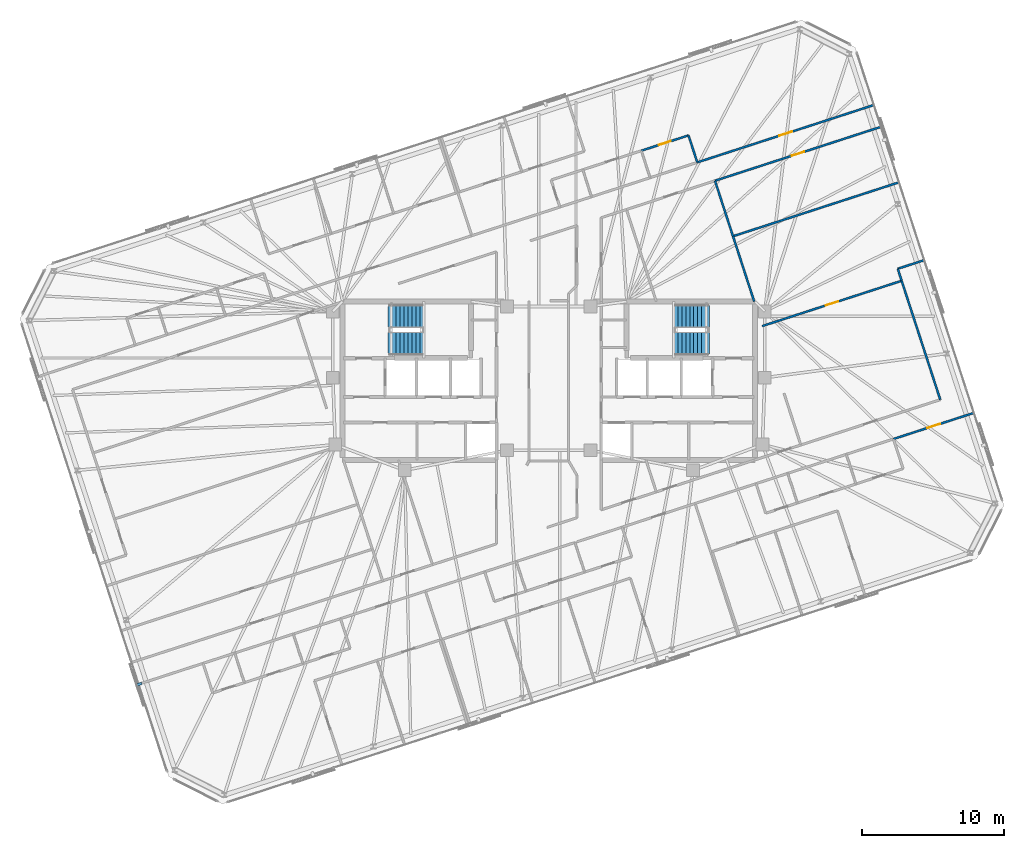
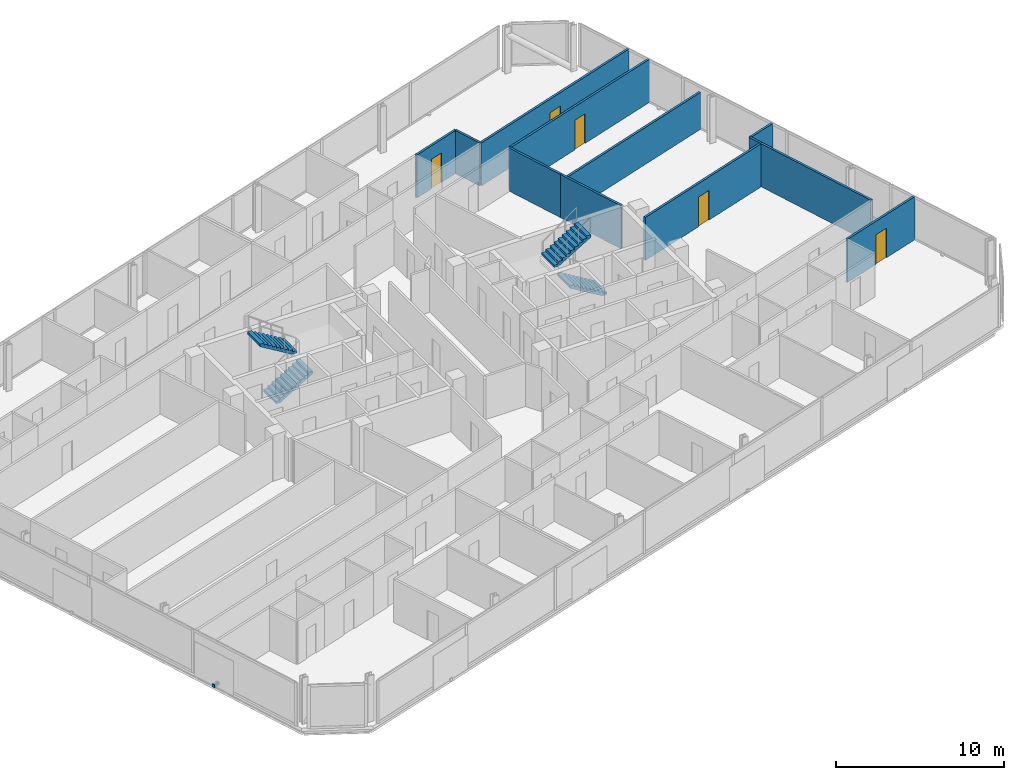
# One storey, part 18 of 20: 12 walls, 5 doors, 4 stair flights, 1 discrete accessory, 5 openings, 2 elements without a shape of their own.
"""IFC4 building model written with IfcOpenShell, lengths in metres."""

import ifcopenshell
import ifcopenshell.guid

model = None  # the IFC model being written
_history = None  # IfcOwnerHistory: only IFC2X3 demands one
_inside = {}  # id of a spatial element -> (the spatial element, [elements in it])
_under = {}  # id of a project, library or spatial element -> (it, [spatial elements below it])
_declared = {}  # id of a project -> (the project, [libraries it declares])
_typed = {}  # id of a type object -> (the type object, [elements of that type])
_made_of = {}  # id of a material, layer set ... -> (it, [elements and type objects made of it])


def new_model(schema):
    """Start an empty IFC model of exactly this schema.

    Asked for "IFC4X3", IfcOpenShell would pick the latest addendum, in which some entities
    have other attributes; the version numbers below select the first issue.
    IFC2X3 requires an IfcOwnerHistory on every rooted entity: one is made here for all.
    """
    global model, _history
    if schema == "IFC4X3":
        model = ifcopenshell.file(schema_version=(4, 3, 0, 0))
    else:
        model = ifcopenshell.file(schema=schema)
    _inside.clear()
    _under.clear()
    _declared.clear()
    _typed.clear()
    _made_of.clear()
    _history = None
    if model.schema == "IFC2X3":
        org = make("IfcOrganization", Name="unknown")
        user = make(
            "IfcPersonAndOrganization",
            ThePerson=make("IfcPerson", FamilyName="unknown"),
            TheOrganization=org,
        )
        app = make(
            "IfcApplication",
            ApplicationDeveloper=org,
            Version="unknown",
            ApplicationFullName="unknown",
            ApplicationIdentifier="unknown",
        )
        _history = make(
            "IfcOwnerHistory",
            OwningUser=user,
            OwningApplication=app,
            ChangeAction="ADDED",
            CreationDate=0,
        )
    return model


def make(cls, **values):
    """One entity of the class cls with the attributes given. An attribute that is None is left unset."""
    return model.create_entity(
        cls, **{name: value for name, value in values.items() if value is not None}
    )


def rooted(cls, **values):
    """An entity with a GlobalId (a new one), such as an element, a storey or a relation."""
    return make(cls, GlobalId=ifcopenshell.guid.new(), OwnerHistory=_history, **values)


def si_unit(unit_type, name, prefix=None):
    """IfcSIUnit, for example si_unit("LENGTHUNIT", "METRE", prefix="MILLI")."""
    return make("IfcSIUnit", UnitType=unit_type, Prefix=prefix, Name=name)


def assignment(units):
    """IfcUnitAssignment: the units of a project."""
    return None if units is None else make("IfcUnitAssignment", Units=units)


def point(xyz):
    """IfcCartesianPoint."""
    return None if xyz is None else make("IfcCartesianPoint", Coordinates=xyz)


def direction(xyz):
    """IfcDirection."""
    return None if xyz is None else make("IfcDirection", DirectionRatios=xyz)


def frame(location, z_axis=None, x_axis=None):
    """IfcAxis2Placement3D, a coordinate frame: its origin and axes. An axis left out is left unset."""
    return make(
        "IfcAxis2Placement3D",
        Location=point(location),
        Axis=direction(z_axis),
        RefDirection=direction(x_axis),
    )


def frame_2d(location, x_axis=None):
    """IfcAxis2Placement2D, a coordinate frame in the plane: its origin and x axis."""
    return make(
        "IfcAxis2Placement2D", Location=point(location), RefDirection=direction(x_axis)
    )


def origin():
    """The frame at (0, 0, 0) with its axes left unset."""
    return frame((0.0, 0.0, 0.0))


def origin_2d():
    """The frame at (0, 0) in the plane with its x axis left unset."""
    return frame_2d((0.0, 0.0))


def place(relative_to, where):
    """IfcLocalPlacement: puts the frame where relative to a parent placement (None: the world)."""
    return make(
        "IfcLocalPlacement", PlacementRelTo=relative_to, RelativePlacement=where
    )


def context(
    kind, dimensions, precision=None, world=None, true_north=None, identifier=None
):
    """IfcGeometricRepresentationContext, for example the 3D "Model" context."""
    return make(
        "IfcGeometricRepresentationContext",
        ContextIdentifier=identifier,
        ContextType=kind,
        CoordinateSpaceDimension=dimensions,
        Precision=precision,
        WorldCoordinateSystem=world,
        TrueNorth=true_north,
    )


def subcontext(parent, identifier, kind, view, scale=None):
    """IfcGeometricRepresentationSubContext, for example "Body" below "Model"."""
    return make(
        "IfcGeometricRepresentationSubContext",
        ContextIdentifier=identifier,
        ContextType=kind,
        ParentContext=parent,
        TargetScale=scale,
        TargetView=view,
    )


def project(units=None, contexts=None):
    """IfcProject with its units and contexts."""
    return rooted(
        "IfcProject",
        Name="project",
        RepresentationContexts=contexts,
        UnitsInContext=assignment(units),
    )


def spatial(cls, under=None, at=None, **own):
    """A site, building, storey or space (cls), placed at a placement, below another one or the project."""
    s = rooted(cls, ObjectPlacement=at, **own)
    if under is not None:
        _under.setdefault(under.id(), (under, []))[1].append(s)
    return s


def polyline(points):
    """IfcPolyline through the points."""
    return make("IfcPolyline", Points=[point(p) for p in points])


def profile(cls, at=None, kind="AREA", **sizes):
    """A parametric profile (cls). Its sizes go by their IFC names, for example OverallWidth=200.0."""
    return make(cls, ProfileType=kind, Position=at, **sizes)


def rectangle(**sizes):
    """IfcRectangleProfileDef."""
    return profile("IfcRectangleProfileDef", **sizes)


def outline(outer, holes=None, kind="AREA"):
    """IfcArbitraryClosedProfileDef: a profile drawn as a closed curve; with holes, ...WithVoids."""
    if holes is None:
        return make("IfcArbitraryClosedProfileDef", ProfileType=kind, OuterCurve=outer)
    return make(
        "IfcArbitraryProfileDefWithVoids",
        ProfileType=kind,
        OuterCurve=outer,
        InnerCurves=holes,
    )


def extrude(swept, where, along, depth):
    """IfcExtrudedAreaSolid: the profile swept, set in the frame where, extruded along a direction by depth."""
    return make(
        "IfcExtrudedAreaSolid",
        SweptArea=swept,
        Position=where,
        ExtrudedDirection=direction(along),
        Depth=depth,
    )


def shape(context_of_items, identifier, shape_type, items):
    """IfcShapeRepresentation: the items that make up one representation, for example the "Body"."""
    return make(
        "IfcShapeRepresentation",
        ContextOfItems=context_of_items,
        RepresentationIdentifier=identifier,
        RepresentationType=shape_type,
        Items=items,
    )


def material(Name=None, Category=None):
    """IfcMaterial."""
    return make("IfcMaterial", Name=Name, Category=Category)


def layer(
    of_material, thickness, ventilated=None, Name=None, Category=None, Priority=None
):
    """IfcMaterialLayer: one layer of a wall or slab, of a material (None: an air gap)."""
    return make(
        "IfcMaterialLayer",
        Material=of_material,
        LayerThickness=thickness,
        IsVentilated=ventilated,
        Name=Name,
        Category=Category,
        Priority=Priority,
    )


def layer_set(layers, Name=None):
    """IfcMaterialLayerSet."""
    return make("IfcMaterialLayerSet", MaterialLayers=layers, LayerSetName=Name)


def made_of(thing, what):
    """Note that an element or type object is made of a material, layer set ...; save() writes the relation."""
    if what is not None:
        _made_of.setdefault(what.id(), (what, []))[1].append(thing)
    return thing


def type_object(cls, material=None, **own):
    """A type object (cls), such as IfcWallType, which elements share."""
    return made_of(rooted(cls, **own), material)


def element(
    cls,
    number,
    at=None,
    inside=None,
    cuts=None,
    type_object=None,
    material=None,
    context=None,
    identifier="Body",
    shape_type=None,
    held_by="IfcProductDefinitionShape",
    body=None,
    shapes=None,
    **own,
):
    """One element of the class cls, such as IfcWall. Its Tag is "e" and its number.

    at: its placement. inside: the storey or other place that contains it. cuts: it is an
    opening in that element (IfcRelVoidsElement). A single representation is given by context,
    identifier, shape_type and body (its items); several are given by shapes. held_by: the class
    of the entity that holds the representations. save() writes the other relations.
    """
    e = rooted(cls, Tag="e%d" % number, ObjectPlacement=at, **own)
    if body is not None:
        shapes = [shape(context, identifier, shape_type, body)]
    if shapes is not None:
        e.Representation = make(held_by, Representations=shapes)
    if inside is not None:
        _inside.setdefault(inside.id(), (inside, []))[1].append(e)
    if cuts is not None:
        rooted(
            "IfcRelVoidsElement", RelatingBuildingElement=cuts, RelatedOpeningElement=e
        )
    if type_object is not None:
        _typed.setdefault(type_object.id(), (type_object, []))[1].append(e)
    return made_of(e, material)


def fill(opening, filler):
    """IfcRelFillsElement: the door or window that sits in an opening."""
    return rooted(
        "IfcRelFillsElement",
        RelatingOpeningElement=opening,
        RelatedBuildingElement=filler,
    )


def aggregate(whole, parts):
    """IfcRelAggregates: a whole, such as a stair, and the parts it consists of."""
    return rooted("IfcRelAggregates", RelatingObject=whole, RelatedObjects=parts)


def save(model, path):
    """Write the relations noted so far, then the file.

    IfcRelAggregates (storeys below a building ...), IfcRelContainedInSpatialStructure (elements
    in a storey), IfcRelDefinesByType, IfcRelAssociatesMaterial and IfcRelDeclares: one each for
    every whole, place, type object, material and project.
    """
    for whole, parts in _under.values():
        aggregate(whole, parts)
    for where, things in _inside.values():
        rooted(
            "IfcRelContainedInSpatialStructure",
            RelatedElements=things,
            RelatingStructure=where,
        )
    for kind, things in _typed.values():
        rooted("IfcRelDefinesByType", RelatedObjects=things, RelatingType=kind)
    for what, things in _made_of.values():
        rooted("IfcRelAssociatesMaterial", RelatedObjects=things, RelatingMaterial=what)
    for by, libraries in _declared.values():
        rooted("IfcRelDeclares", RelatingContext=by, RelatedDefinitions=libraries)
    model.write(path)


model = new_model("IFC4")

# Units and contexts
model_context = context("Model", 3, precision=1e-05, world=origin(), true_north=direction((0.0, 1.0)))
body_context = subcontext(model_context, "Body", "Model", "MODEL_VIEW")
ifc_project = project(units=[si_unit("LENGTHUNIT", "METRE"), si_unit("AREAUNIT", "SQUARE_METRE"), si_unit("VOLUMEUNIT", "CUBIC_METRE"), si_unit("PLANEANGLEUNIT", "RADIAN"), si_unit("MASSUNIT", "GRAM", prefix="KILO")], contexts=[model_context])

# Site, building, storey
site_placement = place(None, origin())
site = spatial("IfcSite", under=ifc_project, at=site_placement, CompositionType="ELEMENT")
building_placement = place(site_placement, origin())
building = spatial("IfcBuilding", under=site, at=building_placement, Name="Menara Jurai Vektor", CompositionType="ELEMENT")
storey_placement = place(building_placement, frame((0.0, 0.0, 227.64990234375)))
storey = spatial("IfcBuildingStorey", under=building, at=storey_placement, Name="L60", CompositionType="ELEMENT", Elevation=227.64990234375)

# Wall, opening, door
ifc_material_1 = material(Name="Gypsum Fireboard Partition", Category="gypsum")
ifc_layer_1 = layer(ifc_material_1, 0.14990234375)
ifc_layer_set_1 = layer_set([ifc_layer_1], Name="Gypsum Fireboard Partition")
wall_type_1 = type_object("IfcWallType", Name="INT-WALL-CORR-150", PredefinedType="PARTITIONING", material=ifc_layer_set_1)
wall_1_placement = place(storey_placement, frame((10.481201171875, 15.420654296875, 0.0), z_axis=(0.0, 0.0, 1.0), x_axis=(0.951055682471, 0.30901956061, 0.0)))
wall_1 = element("IfcWall", 1, at=wall_1_placement, inside=storey, type_object=wall_type_1, Name="Interior Wall IW-150 L60", PredefinedType="PARTITIONING", context=body_context, shape_type="SweptSolid", body=[
    extrude(rectangle(XDim=13.114013671875, YDim=0.14990234375, at=frame_2d((6.55712890625, 0.0))), origin(), (0.0, 0.0, 1.0), 3.125),
])
opening_1_placement = place(wall_1_placement, frame((6.08203125, 0.0, 0.0)))
opening_1 = element("IfcOpeningElement", 2, at=opening_1_placement, cuts=wall_1, Name="Opening D60-16", PredefinedType="OPENING", context=body_context, shape_type="SweptSolid", body=[
    extrude(rectangle(XDim=0.949951171875, YDim=2.14990234375, at=frame_2d((0.47509765625, 1.074951171875))), frame((0.0, 0.0849609375, 0.0), z_axis=(0.0, -1.0, 0.0), x_axis=(1.0, 0.0, 0.0)), (0.0, 0.0, 1.0), 0.169921875),
])
ifc_material_2 = material(Name="Solid Core Timber Fire Door", Category="wood")
door_type_1 = type_object("IfcDoorType", Name="DR-ENTRY-950", OperationType="NOTDEFINED", PredefinedType="DOOR", material=ifc_material_2)
door_1_placement = place(opening_1_placement, origin())
door_1 = element("IfcDoor", 3, at=door_1_placement, inside=storey, type_object=door_type_1, Name="Interior Door D60-16", OperationType="SINGLE_SWING_LEFT", OverallHeight=2.14990234375, OverallWidth=0.949951171875, PredefinedType="DOOR", context=body_context, shape_type="SweptSolid", body=[
    extrude(rectangle(XDim=0.949951171875, YDim=2.14990234375, at=frame_2d((0.47509765625, 1.074951171875))), frame((0.0, 0.02490234375, 0.0), z_axis=(0.0, -1.0, 0.0), x_axis=(1.0, 0.0, 0.0)), (0.0, 0.0, 1.0), 0.050048828125),
])
fill(opening_1, door_1)

wall_2_placement = place(storey_placement, frame((24.33203125, -4.10888671875, 0.0), z_axis=(0.0, 0.0, 1.0), x_axis=(0.951058083458, 0.309012171103, 0.0)))
wall_2 = element("IfcWall", 4, at=wall_2_placement, inside=storey, type_object=wall_type_1, Name="Interior Wall IW-150 L60", PredefinedType="PARTITIONING", context=body_context, shape_type="SweptSolid", body=[
    extrude(rectangle(XDim=5.97607421875, YDim=0.14990234375, at=frame_2d((2.988037109375, 0.0))), origin(), (0.0, 0.0, 1.0), 3.125),
])
opening_2_placement = place(wall_2_placement, frame((2.512939453125, 0.0, 0.0)))
opening_2 = element("IfcOpeningElement", 5, at=opening_2_placement, cuts=wall_2, Name="Opening D60-35", PredefinedType="OPENING", context=body_context, shape_type="SweptSolid", body=[
    extrude(rectangle(XDim=0.949951171875, YDim=2.14990234375, at=frame_2d((0.47509765625, 1.074951171875))), frame((0.0, 0.0849609375, 0.0), z_axis=(0.0, -1.0, 0.0), x_axis=(1.0, 0.0, 0.0)), (0.0, 0.0, 1.0), 0.169921875),
])
door_2_placement = place(opening_2_placement, origin())
door_2 = element("IfcDoor", 6, at=door_2_placement, inside=storey, type_object=door_type_1, Name="Interior Door D60-35", OperationType="SINGLE_SWING_RIGHT", OverallHeight=2.14990234375, OverallWidth=0.949951171875, PredefinedType="DOOR", context=body_context, shape_type="SweptSolid", body=[
    extrude(rectangle(XDim=0.949951171875, YDim=2.14990234375, at=frame_2d((0.47509765625, 1.074951171875))), frame((0.0, 0.02490234375, 0.0), z_axis=(0.0, -1.0, 0.0), x_axis=(1.0, 0.0, 0.0)), (0.0, 0.0, 1.0), 0.050048828125),
])
fill(opening_2, door_2)

# Walls
wall_3_placement = place(storey_placement, frame((27.63671875, -1.331787109375, 0.0), z_axis=(0.0, 0.0, 1.0), x_axis=(-0.309040411618, 0.951048907253, 0.0)))
element("IfcWall", 7, at=wall_3_placement, inside=storey, type_object=wall_type_1, Name="Interior Wall IW-150 L60", PredefinedType="PARTITIONING", context=body_context, shape_type="SweptSolid", body=[
    extrude(rectangle(XDim=8.825927734375, YDim=0.14990234375, at=frame_2d((4.4130859375, 0.0))), origin(), (0.0, 0.0, 1.0), 3.125),
])
wall_4_placement = place(storey_placement, frame((24.9091796875, 7.06201171875, 0.0), z_axis=(0.0, 0.0, 1.0), x_axis=(-0.30899324298, 0.951064233263, 0.0)))
element("IfcWall", 8, at=wall_4_placement, inside=storey, type_object=wall_type_1, Name="Interior Wall IW-150 L60", PredefinedType="PARTITIONING", context=body_context, shape_type="SweptSolid", body=[
    extrude(rectangle(XDim=0.89208984375, YDim=0.14990234375, at=frame_2d((0.446044921875, 0.0))), origin(), (0.0, 0.0, 1.0), 3.125),
])
wall_5_placement = place(storey_placement, frame((24.633544921875, 7.910400390625, 0.0), z_axis=(0.0, 0.0, 1.0), x_axis=(0.951054051148, 0.309024581215, 0.0)))
element("IfcWall", 9, at=wall_5_placement, inside=storey, type_object=wall_type_1, Name="Interior Wall IW-150 L60", PredefinedType="PARTITIONING", context=body_context, shape_type="SweptSolid", body=[
    extrude(rectangle(XDim=1.97509765625, YDim=0.14990234375, at=frame_2d((0.987548828125, 0.0))), origin(), (0.0, 0.0, 1.0), 3.125),
])

# Wall, opening, door
wall_6_placement = place(storey_placement, frame((11.730224609375, 14.123291015625, 0.0), z_axis=(0.0, 0.0, 1.0), x_axis=(0.951060263663, 0.309005460926, 0.0)))
wall_6 = element("IfcWall", 10, at=wall_6_placement, inside=storey, type_object=wall_type_1, Name="Interior Wall IW-150 L60", PredefinedType="PARTITIONING", context=body_context, shape_type="SweptSolid", body=[
    extrude(rectangle(XDim=12.326904296875, YDim=0.14990234375, at=frame_2d((6.16357421875, 0.0))), origin(), (0.0, 0.0, 1.0), 3.125),
])
opening_3_placement = place(wall_6_placement, frame((5.70361328125, 0.0, 0.0)))
opening_3 = element("IfcOpeningElement", 11, at=opening_3_placement, cuts=wall_6, Name="Opening D60-59", PredefinedType="OPENING", context=body_context, shape_type="SweptSolid", body=[
    extrude(rectangle(XDim=0.919921875, YDim=2.14990234375, at=frame_2d((0.4599609375, 1.074951171875))), frame((0.0, 0.0849609375, 0.0), z_axis=(0.0, -1.0, 0.0), x_axis=(1.0, 0.0, 0.0)), (0.0, 0.0, 1.0), 0.169921875),
])
door_3_placement = place(opening_3_placement, origin())
door_3 = element("IfcDoor", 12, at=door_3_placement, inside=storey, type_object=door_type_1, Name="Interior Door D60-59", OperationType="SINGLE_SWING_RIGHT", OverallHeight=2.14990234375, OverallWidth=0.919921875, PredefinedType="DOOR", context=body_context, shape_type="SweptSolid", body=[
    extrude(rectangle(XDim=0.919921875, YDim=2.14990234375, at=frame_2d((0.4599609375, 1.074951171875))), frame((0.0, 0.02490234375, 0.0), z_axis=(0.0, -1.0, 0.0), x_axis=(1.0, 0.0, 0.0)), (0.0, 0.0, 1.0), 0.050048828125),
])
fill(opening_3, door_3)

wall_7_placement = place(storey_placement, frame((6.532958984375, 16.24609375, 0.0), z_axis=(0.0, 0.0, 1.0), x_axis=(0.951055596592, 0.309019824916, 0.0)))
wall_7 = element("IfcWall", 13, at=wall_7_placement, inside=storey, type_object=wall_type_1, Name="Interior Wall IW-150 L60", PredefinedType="PARTITIONING", context=body_context, shape_type="SweptSolid", body=[
    extrude(rectangle(XDim=3.5, YDim=0.14990234375, at=frame_2d((1.75, 0.0))), origin(), (0.0, 0.0, 1.0), 3.125),
])
opening_4_placement = place(wall_7_placement, frame((1.31005859375, 0.0, 0.0)))
opening_4 = element("IfcOpeningElement", 14, at=opening_4_placement, cuts=wall_7, Name="Opening D60-19", PredefinedType="OPENING", context=body_context, shape_type="SweptSolid", body=[
    extrude(rectangle(XDim=0.8798828125, YDim=2.14990234375, at=frame_2d((0.43994140625, 1.074951171875))), frame((0.0, 0.0849609375, 0.0), z_axis=(0.0, -1.0, 0.0), x_axis=(1.0, 0.0, 0.0)), (0.0, 0.0, 1.0), 0.169921875),
])
ifc_material_3 = material(Name="Moisture-Resistant Timber Door", Category="wood")
door_type_2 = type_object("IfcDoorType", Name="DR-BATH-880", OperationType="NOTDEFINED", PredefinedType="DOOR", material=ifc_material_3)
door_4_placement = place(opening_4_placement, origin())
door_4 = element("IfcDoor", 15, at=door_4_placement, inside=storey, type_object=door_type_2, Name="Interior Door D60-19", OperationType="SINGLE_SWING_RIGHT", OverallHeight=2.14990234375, OverallWidth=0.8798828125, PredefinedType="DOOR", context=body_context, shape_type="SweptSolid", body=[
    extrude(rectangle(XDim=0.8798828125, YDim=2.14990234375, at=frame_2d((0.43994140625, 1.074951171875))), frame((0.0, 0.02490234375, 0.0), z_axis=(0.0, -1.0, 0.0), x_axis=(1.0, 0.0, 0.0)), (0.0, 0.0, 1.0), 0.050048828125),
])
fill(opening_4, door_4)

# Walls
wall_8_placement = place(storey_placement, frame((10.481201171875, 15.420654296875, 0.0), z_axis=(0.0, 0.0, 1.0), x_axis=(-0.309022749039, 0.951054646472, 0.0)))
element("IfcWall", 16, at=wall_8_placement, inside=storey, type_object=wall_type_1, Name="Interior Wall IW-150 L60", PredefinedType="PARTITIONING", context=body_context, shape_type="SweptSolid", body=[
    extrude(rectangle(XDim=2.005126953125, YDim=0.14990234375, at=frame_2d((1.00244140625, 0.0))), origin(), (0.0, 0.0, 1.0), 3.125),
])
wall_9_placement = place(storey_placement, frame((14.49951171875, 5.599853515625, 0.0), z_axis=(0.0, 0.0, 1.0), x_axis=(-0.308974360462, 0.951070367837, 0.0)))
element("IfcWall", 17, at=wall_9_placement, inside=storey, type_object=wall_type_1, Name="Interior Wall IW-150 L60", PredefinedType="PARTITIONING", context=body_context, shape_type="SweptSolid", body=[
    extrude(rectangle(XDim=4.843017578125, YDim=0.14990234375, at=frame_2d((2.42138671875, 0.0))), origin(), (0.0, 0.0, 1.0), 3.125),
])
wall_10_placement = place(storey_placement, frame((13.003173828125, 10.205810546875, 0.0), z_axis=(0.0, 0.0, 1.0), x_axis=(-0.309035144366, 0.951050618814, 0.0)))
element("IfcWall", 18, at=wall_10_placement, inside=storey, type_object=wall_type_1, Name="Interior Wall IW-150 L60", PredefinedType="PARTITIONING", context=body_context, shape_type="SweptSolid", body=[
    extrude(rectangle(XDim=4.119140625, YDim=0.14990234375, at=frame_2d((2.0595703125, 0.0))), origin(), (0.0, 0.0, 1.0), 3.125),
])

# Wall, opening, door
wall_11_placement = place(storey_placement, frame((15.06396484375, 3.86328125, 0.0), z_axis=(0.0, 0.0, 1.0), x_axis=(0.951061448945, 0.309001812827, 0.0)))
wall_11 = element("IfcWall", 19, at=wall_11_placement, inside=storey, type_object=wall_type_1, Name="Interior Wall IW-150 L60", PredefinedType="PARTITIONING", context=body_context, shape_type="SweptSolid", body=[
    extrude(rectangle(XDim=10.351806640625, YDim=0.14990234375, at=frame_2d((5.17578125, 0.0))), origin(), (0.0, 0.0, 1.0), 3.125),
])
opening_5_placement = place(wall_11_placement, frame((4.716064453125, 0.0, 0.0)))
opening_5 = element("IfcOpeningElement", 20, at=opening_5_placement, cuts=wall_11, Name="Opening D60-58", PredefinedType="OPENING", context=body_context, shape_type="SweptSolid", body=[
    extrude(rectangle(XDim=0.919921875, YDim=2.14990234375, at=frame_2d((0.4599609375, 1.074951171875))), frame((0.0, 0.0849609375, 0.0), z_axis=(0.0, -1.0, 0.0), x_axis=(1.0, 0.0, 0.0)), (0.0, 0.0, 1.0), 0.169921875),
])
door_5_placement = place(opening_5_placement, origin())
door_5 = element("IfcDoor", 21, at=door_5_placement, inside=storey, type_object=door_type_1, Name="Interior Door D60-58", OperationType="SINGLE_SWING_LEFT", OverallHeight=2.14990234375, OverallWidth=0.919921875, PredefinedType="DOOR", context=body_context, shape_type="SweptSolid", body=[
    extrude(rectangle(XDim=0.919921875, YDim=2.14990234375, at=frame_2d((0.4599609375, 1.074951171875))), frame((0.0, 0.02490234375, 0.0), z_axis=(0.0, -1.0, 0.0), x_axis=(1.0, 0.0, 0.0)), (0.0, 0.0, 1.0), 0.050048828125),
])
fill(opening_5, door_5)

# Wall
ifc_layer_2 = layer(ifc_material_1, 0.14990234375)
ifc_layer_set_2 = layer_set([ifc_layer_2], Name="Gypsum Fireboard Partition")
wall_type_2 = type_object("IfcWallType", Name="INT-WALL-CORR-150-H1", PredefinedType="PARTITIONING", material=ifc_layer_set_2)
wall_12_placement = place(storey_placement, frame((13.003173828125, 10.205810546875, 0.0), z_axis=(0.0, 0.0, 1.0), x_axis=(0.951060263663, 0.309005460926, 0.0)))
element("IfcWall", 22, at=wall_12_placement, inside=storey, type_object=wall_type_2, Name="Interior Wall IW-150 L60", PredefinedType="PARTITIONING", context=body_context, shape_type="SweptSolid", body=[
    extrude(rectangle(XDim=12.326904296875, YDim=0.14990234375, at=frame_2d((6.16357421875, 0.0))), origin(), (0.0, 0.0, 1.0), 2.675048828125),
])

# Stair, stair flights
ifc_material_4 = material(Name="Concrete C40/50", Category="concrete")
stair_type = type_object("IfcStairType", Name="STAIR-DOGLEG-1500", PredefinedType="HALF_TURN_STAIR", material=ifc_material_4)
stair_1_placement = place(storey_placement, origin())
stair_1 = element("IfcStair", 23, at=stair_1_placement, inside=storey, type_object=stair_type, Name="Protected Exit Stair ST1 L60", PredefinedType="HALF_TURN_STAIR")
stair_flight_type = type_object("IfcStairFlightType", Name="STAIR-FLIGHT-1500", PredefinedType="STRAIGHT", material=ifc_material_4)
stair_flight_1_placement = place(storey_placement, frame((-11.35009765625, 2.64990234375, 0.0), z_axis=(0.0, 0.0, 1.0), x_axis=(1.0, 0.0, 0.0)))
stair_flight_1 = element("IfcStairFlight", 24, at=stair_flight_1_placement, type_object=stair_flight_type, Name="ST1 flight 1", NumberOfRisers=10, NumberOfTreads=9, PredefinedType="STRAIGHT", RiserHeight=0.1675, TreadLength=0.28, context=body_context, shape_type="SweptSolid", body=[
    extrude(outline(polyline([(0.0, 0.0), (0.0, 0.16748046875), (0.280029296875, 0.16748046875), (0.280029296875, 0.3349609375), (0.56005859375, 0.3349609375), (0.56005859375, 0.50244140625), (0.840087890625, 0.50244140625), (0.840087890625, 0.669921875), (1.1201171875, 0.669921875), (1.1201171875, 0.83740234375), (1.39990234375, 0.83740234375), (1.39990234375, 1.0048828125), (1.679931640625, 1.0048828125), (1.679931640625, 1.172607421875), (1.9599609375, 1.172607421875), (1.9599609375, 1.340087890625), (2.239990234375, 1.340087890625), (2.239990234375, 1.507568359375), (2.52001953125, 1.507568359375), (2.52001953125, 1.675048828125), (2.52001953125, 1.321044921875), (0.3115234375, 0.0), (0.0, 0.0)])), frame((0.0, 0.75, 0.0), z_axis=(0.0, -1.0, 0.0), x_axis=(1.0, 0.0, 0.0)), (0.0, 0.0, 1.0), 1.5),
])
stair_flight_2_placement = place(storey_placement, frame((-8.830078125, 4.550048828125, 1.675048828125), z_axis=(0.0, 0.0, 1.0), x_axis=(-1.0, 0.0, 0.0)))
stair_flight_2 = element("IfcStairFlight", 25, at=stair_flight_2_placement, type_object=stair_flight_type, Name="ST1 flight 2", NumberOfRisers=10, NumberOfTreads=9, PredefinedType="STRAIGHT", RiserHeight=0.1675, TreadLength=0.28, context=body_context, shape_type="SweptSolid", body=[
    extrude(outline(polyline([(0.0, 0.0), (0.0, 0.16748046875), (0.280029296875, 0.16748046875), (0.280029296875, 0.3349609375), (0.56005859375, 0.3349609375), (0.56005859375, 0.50244140625), (0.840087890625, 0.50244140625), (0.840087890625, 0.669921875), (1.1201171875, 0.669921875), (1.1201171875, 0.83740234375), (1.39990234375, 0.83740234375), (1.39990234375, 1.0048828125), (1.679931640625, 1.0048828125), (1.679931640625, 1.172607421875), (1.9599609375, 1.172607421875), (1.9599609375, 1.340087890625), (2.239990234375, 1.340087890625), (2.239990234375, 1.507568359375), (2.52001953125, 1.507568359375), (2.52001953125, 1.675048828125), (2.52001953125, 1.321044921875), (0.3115234375, 0.0), (0.0, 0.0)])), frame((0.0, 0.75, 0.0), z_axis=(0.0, -1.0, 0.0), x_axis=(1.0, 0.0, 0.0)), (0.0, 0.0, 1.0), 1.5),
])
aggregate(stair_1, [stair_flight_1, stair_flight_2])

stair_2_placement = place(storey_placement, origin())
stair_2 = element("IfcStair", 26, at=stair_2_placement, inside=storey, type_object=stair_type, Name="Protected Exit Stair ST2 L60", PredefinedType="HALF_TURN_STAIR")
stair_flight_3_placement = place(storey_placement, frame((11.35009765625, 2.64990234375, 0.0), z_axis=(0.0, 0.0, 1.0), x_axis=(-1.0, 0.0, 0.0)))
stair_flight_3 = element("IfcStairFlight", 27, at=stair_flight_3_placement, type_object=stair_flight_type, Name="ST2 flight 1", NumberOfRisers=10, NumberOfTreads=9, PredefinedType="STRAIGHT", RiserHeight=0.1675, TreadLength=0.28, context=body_context, shape_type="SweptSolid", body=[
    extrude(outline(polyline([(0.0, 0.0), (0.0, 0.16748046875), (0.280029296875, 0.16748046875), (0.280029296875, 0.3349609375), (0.56005859375, 0.3349609375), (0.56005859375, 0.50244140625), (0.840087890625, 0.50244140625), (0.840087890625, 0.669921875), (1.1201171875, 0.669921875), (1.1201171875, 0.83740234375), (1.39990234375, 0.83740234375), (1.39990234375, 1.0048828125), (1.679931640625, 1.0048828125), (1.679931640625, 1.172607421875), (1.9599609375, 1.172607421875), (1.9599609375, 1.340087890625), (2.239990234375, 1.340087890625), (2.239990234375, 1.507568359375), (2.52001953125, 1.507568359375), (2.52001953125, 1.675048828125), (2.52001953125, 1.321044921875), (0.3115234375, 0.0), (0.0, 0.0)])), frame((0.0, 0.75, 0.0), z_axis=(0.0, -1.0, 0.0), x_axis=(1.0, 0.0, 0.0)), (0.0, 0.0, 1.0), 1.5),
])
stair_flight_4_placement = place(storey_placement, frame((8.830078125, 4.550048828125, 1.675048828125), z_axis=(0.0, 0.0, 1.0), x_axis=(1.0, 0.0, 0.0)))
stair_flight_4 = element("IfcStairFlight", 28, at=stair_flight_4_placement, type_object=stair_flight_type, Name="ST2 flight 2", NumberOfRisers=10, NumberOfTreads=9, PredefinedType="STRAIGHT", RiserHeight=0.1675, TreadLength=0.28, context=body_context, shape_type="SweptSolid", body=[
    extrude(outline(polyline([(0.0, 0.0), (0.0, 0.16748046875), (0.280029296875, 0.16748046875), (0.280029296875, 0.3349609375), (0.56005859375, 0.3349609375), (0.56005859375, 0.50244140625), (0.840087890625, 0.50244140625), (0.840087890625, 0.669921875), (1.1201171875, 0.669921875), (1.1201171875, 0.83740234375), (1.39990234375, 0.83740234375), (1.39990234375, 1.0048828125), (1.679931640625, 1.0048828125), (1.679931640625, 1.172607421875), (1.9599609375, 1.172607421875), (1.9599609375, 1.340087890625), (2.239990234375, 1.340087890625), (2.239990234375, 1.507568359375), (2.52001953125, 1.507568359375), (2.52001953125, 1.675048828125), (2.52001953125, 1.321044921875), (0.3115234375, 0.0), (0.0, 0.0)])), frame((0.0, 0.75, 0.0), z_axis=(0.0, -1.0, 0.0), x_axis=(1.0, 0.0, 0.0)), (0.0, 0.0, 1.0), 1.5),
])
aggregate(stair_2, [stair_flight_3, stair_flight_4])

# Discrete accessory
ifc_material_5 = material(Name="Steel S355", Category="steel")
discrete_accessory_type = type_object("IfcDiscreteAccessoryType", Name="ENV-ACC-BRACKET", PredefinedType="BRACKET", material=ifc_material_5)
discrete_accessory_placement = place(storey_placement, frame((-28.957763671875, -21.429443359375, -0.1298828125), z_axis=(0.0, 0.0, 1.0), x_axis=(0.309016994375, -0.951056516295, 0.0)))
element("IfcDiscreteAccessory", 29, at=discrete_accessory_placement, inside=storey, type_object=discrete_accessory_type, Name="Solar Screen Stand-Off Bracket L60-S14", PredefinedType="BRACKET", context=body_context, shape_type="SweptSolid", body=[
    extrude(rectangle(XDim=0.179931640625, YDim=0.43994140625, at=origin_2d()), origin(), (0.0, 0.0, 1.0), 0.219970703125),
])

save(model, "model.ifc")
